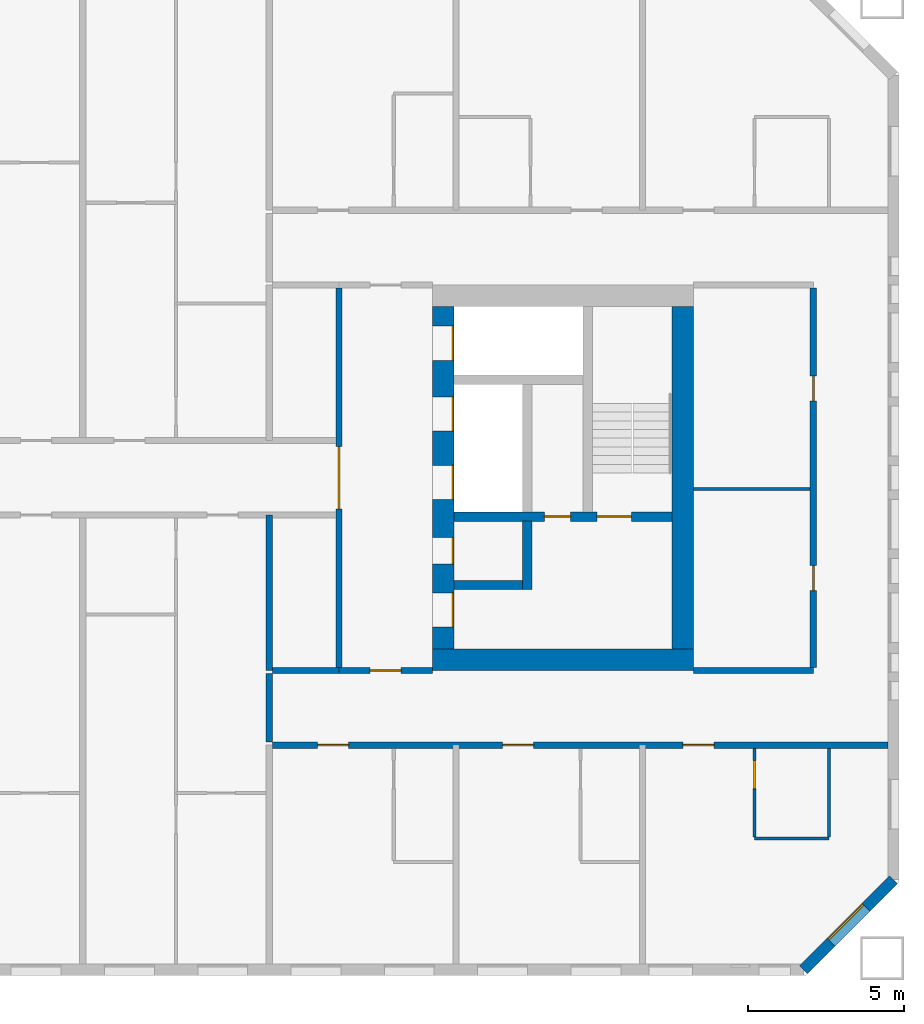
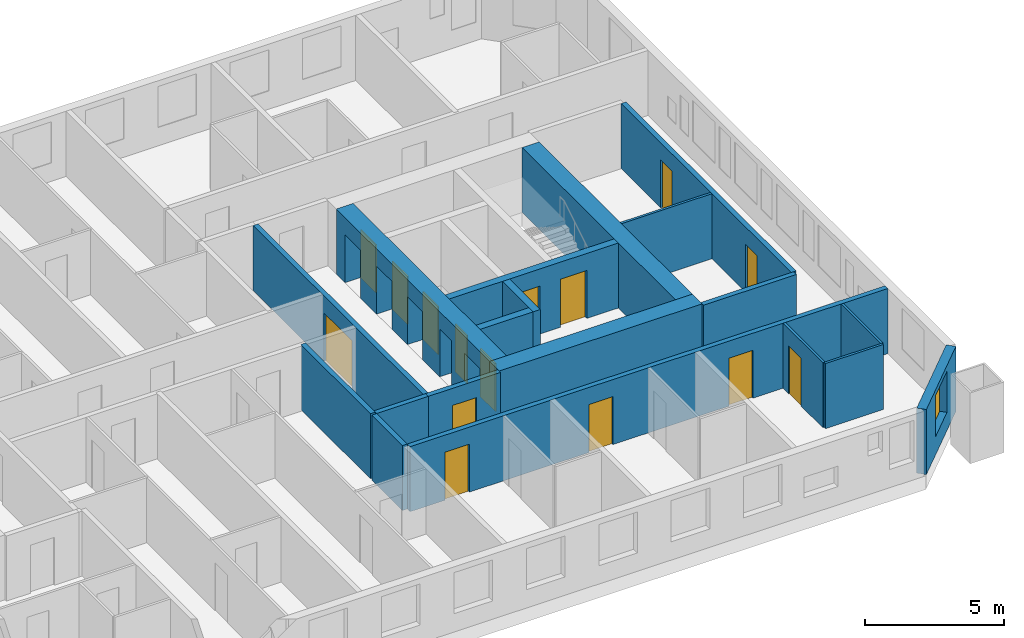
# One storey, part 12 of 17: 19 walls, 15 doors, 1 window, 16 openings.
"""IFC4 building model written with IfcOpenShell, lengths in metres."""

from ifc_helpers import new_model, si_unit, direction, frame, frame_2d, origin, place, context, subcontext, project, spatial, rectangle, extrude, material, layer, layer_set, type_object, element, fill, save


model = new_model("IFC4")

# Units and contexts
model_context = context("Model", 3, precision=1e-05, world=origin(), true_north=direction((0.0, 1.0)))
body_context = subcontext(model_context, "Body", "Model", "MODEL_VIEW")
ifc_project = project(units=[si_unit("LENGTHUNIT", "METRE"), si_unit("AREAUNIT", "SQUARE_METRE"), si_unit("VOLUMEUNIT", "CUBIC_METRE"), si_unit("PLANEANGLEUNIT", "RADIAN"), si_unit("MASSUNIT", "GRAM", prefix="KILO")], contexts=[model_context])

# Site, building, storey
site_placement = place(None, origin())
site = spatial("IfcSite", under=ifc_project, at=site_placement, CompositionType="ELEMENT")
building_placement = place(site_placement, origin())
building = spatial("IfcBuilding", under=site, at=building_placement, Name="Tuart Gate Housing", CompositionType="ELEMENT")
storey_placement = place(building_placement, frame((0.0, 0.0, 71.60009765625)))
storey = spatial("IfcBuildingStorey", under=building, at=storey_placement, Name="L19", CompositionType="ELEMENT", Elevation=71.60009765625)

# Wall, opening, window
ifc_material_1 = material(Name="Brick", Category="masonry")
ifc_layer_1 = layer(ifc_material_1, 0.360107421875)
ifc_layer_set_1 = layer_set([ifc_layer_1], Name="Brick pier and spandrel wall 360")
wall_type_1 = type_object("IfcWallType", Name="Brick pier and spandrel wall 360", PredefinedType="STANDARD", material=ifc_layer_set_1)
wall_1_placement = place(storey_placement, frame((172.17529296875, 54.179931640625, 0.0), z_axis=(0.0, 0.0, 1.0), x_axis=(0.707106781187, 0.707106781187, 0.0)))
wall_1 = element("IfcWall", 1, at=wall_1_placement, inside=storey, type_object=wall_type_1, Name="External wall B-SE L19", PredefinedType="STANDARD", context=body_context, shape_type="SweptSolid", body=[
    extrude(rectangle(XDim=4.09375, YDim=0.360107421875, at=frame_2d((2.046875, 0.0))), origin(), (0.0, 0.0, 1.0), 2.849853515625),
])
opening_1_placement = place(wall_1_placement, frame((1.2470703125, 0.0, 0.800048828125)))
opening_1 = element("IfcOpeningElement", 2, at=opening_1_placement, cuts=wall_1, Name="Opening W1", PredefinedType="OPENING", context=body_context, shape_type="SweptSolid", body=[
    extrude(rectangle(XDim=1.60009765625, YDim=1.800048828125, at=frame_2d((0.800048828125, 0.89990234375))), frame((0.0, 0.18994140625, 0.0), z_axis=(0.0, -1.0, 0.0), x_axis=(1.0, 0.0, 0.0)), (0.0, 0.0, 1.0), 0.380126953125),
])
ifc_material_2 = material(Name="Aluminium frame with clear glass", Category="aluminium")
window_type = type_object("IfcWindowType", Name="Punched window 1600 x 1800", PartitioningType="SINGLE_PANEL", PredefinedType="WINDOW", material=ifc_material_2)
window_placement = place(opening_1_placement, origin())
window = element("IfcWindow", 3, at=window_placement, inside=storey, type_object=window_type, Name="Window W1", OverallHeight=1.800048828125, OverallWidth=1.60009765625, PartitioningType="SINGLE_PANEL", PredefinedType="WINDOW", context=body_context, shape_type="SweptSolid", body=[
    extrude(rectangle(XDim=1.60009765625, YDim=1.800048828125, at=frame_2d((0.800048828125, 0.89990234375))), frame((0.0, 0.150146484375, 0.0), z_axis=(0.0, -1.0, 0.0), x_axis=(1.0, 0.0, 0.0)), (0.0, 0.0, 1.0), 0.06005859375),
])
fill(opening_1, window)

# Wall, openings, doors
ifc_material_3 = material(Name="Concrete C50", Category="concrete")
ifc_layer_2 = layer(ifc_material_3, 0.300048828125)
ifc_layer_set_2 = layer_set([ifc_layer_2], Name="Core wall 300 C50")
wall_type_2 = type_object("IfcWallType", Name="Core wall 300 C50", PredefinedType="SHEAR", material=ifc_layer_set_2)
wall_2_placement = place(storey_placement, frame((160.93994140625, 68.75, 0.0), z_axis=(0.0, 0.0, 1.0), x_axis=(1.0, 0.0, 0.0)))
wall_2 = element("IfcWall", 4, at=wall_2_placement, inside=storey, type_object=wall_type_2, Name="Core wall BK.2", PredefinedType="SHEAR", context=body_context, shape_type="SweptSolid", body=[
    extrude(rectangle(XDim=7.0, YDim=0.300048828125, at=frame_2d((3.5, 0.0))), origin(), (0.0, 0.0, 1.0), 2.849853515625),
])
opening_2_placement = place(wall_2_placement, frame((4.60009765625, 0.0, 0.0)))
opening_2 = element("IfcOpeningElement", 5, at=opening_2_placement, cuts=wall_2, Name="Opening D931", PredefinedType="OPENING", context=body_context, shape_type="SweptSolid", body=[
    extrude(rectangle(XDim=1.10009765625, YDim=2.10009765625, at=frame_2d((0.550048828125, 1.050048828125))), frame((0.0, 0.159912109375, 0.0), z_axis=(0.0, -1.0, 0.0), x_axis=(1.0, 0.0, 0.0)), (0.0, 0.0, 1.0), 0.320068359375),
])
opening_3_placement = place(wall_2_placement, frame((2.89990234375, 0.0, 0.0)))
opening_3 = element("IfcOpeningElement", 6, at=opening_3_placement, cuts=wall_2, Name="Opening D930", PredefinedType="OPENING", context=body_context, shape_type="SweptSolid", body=[
    extrude(rectangle(XDim=0.85009765625, YDim=2.10009765625, at=frame_2d((0.425048828125, 1.050048828125))), frame((0.0, 0.159912109375, 0.0), z_axis=(0.0, -1.0, 0.0), x_axis=(1.0, 0.0, 0.0)), (0.0, 0.0, 1.0), 0.320068359375),
])
ifc_material_4 = material(Name="Steel fire door", Category="steel")
door_type_1 = type_object("IfcDoorType", Name="Riser door 850 x 2100", OperationType="SINGLE_SWING_LEFT", PredefinedType="DOOR", material=ifc_material_4)
door_1_placement = place(opening_3_placement, origin())
door_1 = element("IfcDoor", 7, at=door_1_placement, inside=storey, type_object=door_type_1, Name="Service room door BK.W1", OperationType="SINGLE_SWING_LEFT", OverallHeight=2.10009765625, OverallWidth=0.85009765625, PredefinedType="DOOR", context=body_context, shape_type="SweptSolid", body=[
    extrude(rectangle(XDim=0.85009765625, YDim=2.10009765625, at=frame_2d((0.425048828125, 1.050048828125))), frame((0.0, 0.02490234375, 0.0), z_axis=(0.0, -1.0, 0.0), x_axis=(1.0, 0.0, 0.0)), (0.0, 0.0, 1.0), 0.050048828125),
])
fill(opening_3, door_1)
ifc_material_5 = material(Name="Steel fire door", Category="steel")
door_type_2 = type_object("IfcDoorType", Name="Stair door 1100 x 2100", OperationType="SINGLE_SWING_LEFT", PredefinedType="DOOR", material=ifc_material_5)
door_2_placement = place(opening_2_placement, origin())
door_2 = element("IfcDoor", 8, at=door_2_placement, inside=storey, type_object=door_type_2, Name="Stair door BK.SD", OperationType="SINGLE_SWING_LEFT", OverallHeight=2.10009765625, OverallWidth=1.10009765625, PredefinedType="DOOR", context=body_context, shape_type="SweptSolid", body=[
    extrude(rectangle(XDim=1.10009765625, YDim=2.10009765625, at=frame_2d((0.550048828125, 1.050048828125))), frame((0.0, 0.02490234375, 0.0), z_axis=(0.0, -1.0, 0.0), x_axis=(1.0, 0.0, 0.0)), (0.0, 0.0, 1.0), 0.050048828125),
])
fill(opening_2, door_2)

# Walls
wall_3_placement = place(storey_placement, frame((160.93994140625, 66.550048828125, 0.0), z_axis=(0.0, 0.0, 1.0), x_axis=(1.0, 0.0, 0.0)))
element("IfcWall", 9, at=wall_3_placement, inside=storey, type_object=wall_type_2, Name="Core wall BK.3", PredefinedType="SHEAR", context=body_context, shape_type="SweptSolid", body=[
    extrude(rectangle(XDim=2.199951171875, YDim=0.300048828125, at=frame_2d((1.10009765625, 0.0))), origin(), (0.0, 0.0, 1.0), 2.849853515625),
])
wall_4_placement = place(storey_placement, frame((163.2900390625, 68.60009765625, 0.0), z_axis=(0.0, 0.0, 1.0), x_axis=(0.0, -1.0, 0.0)))
element("IfcWall", 10, at=wall_4_placement, inside=storey, type_object=wall_type_2, Name="Core wall BK.5", PredefinedType="SHEAR", context=body_context, shape_type="SweptSolid", body=[
    extrude(rectangle(XDim=2.2001953125, YDim=0.300048828125, at=frame_2d((1.10009765625, 0.0))), origin(), (0.0, 0.0, 1.0), 2.849853515625),
])

# Wall, openings, doors
ifc_material_6 = material(Name="Concrete C50", Category="concrete")
ifc_layer_3 = layer(ifc_material_6, 0.699951171875)
ifc_layer_set_3 = layer_set([ifc_layer_3], Name="Core wall 700 C50")
wall_type_3 = type_object("IfcWallType", Name="Core wall 700 C50", PredefinedType="SHEAR", material=ifc_layer_set_3)
wall_5_placement = place(storey_placement, frame((160.590087890625, 75.5, 0.0), z_axis=(0.0, 0.0, 1.0), x_axis=(0.0, -1.0, 0.0)))
wall_5 = element("IfcWall", 11, at=wall_5_placement, inside=storey, type_object=wall_type_3, Name="Core wall BK front", PredefinedType="SHEAR", context=body_context, shape_type="SweptSolid", body=[
    extrude(rectangle(XDim=11.0, YDim=0.699951171875, at=frame_2d((5.5, 0.0))), origin(), (0.0, 0.0, 1.0), 2.849853515625),
])
opening_4_placement = place(wall_5_placement, frame((0.625, 0.0, 0.0)))
opening_4 = element("IfcOpeningElement", 12, at=opening_4_placement, cuts=wall_5, Name="Opening LD-FB2", PredefinedType="OPENING", context=body_context, shape_type="SweptSolid", body=[
    extrude(rectangle(XDim=1.10009765625, YDim=2.10009765625, at=frame_2d((0.550048828125, 1.050048828125))), frame((0.0, 0.35986328125, 0.0), z_axis=(0.0, -1.0, 0.0), x_axis=(1.0, 0.0, 0.0)), (0.0, 0.0, 1.0), 0.719970703125),
])
opening_5_placement = place(wall_5_placement, frame((2.89990234375, 0.0, 0.0)))
opening_5 = element("IfcOpeningElement", 13, at=opening_5_placement, cuts=wall_5, Name="Opening LD-LB3", PredefinedType="OPENING", context=body_context, shape_type="SweptSolid", body=[
    extrude(rectangle(XDim=1.10009765625, YDim=2.10009765625, at=frame_2d((0.550048828125, 1.050048828125))), frame((0.0, 0.35986328125, 0.0), z_axis=(0.0, -1.0, 0.0), x_axis=(1.0, 0.0, 0.0)), (0.0, 0.0, 1.0), 0.719970703125),
])
opening_6_placement = place(wall_5_placement, frame((5.10009765625, 0.0, 0.0)))
opening_6 = element("IfcOpeningElement", 14, at=opening_6_placement, cuts=wall_5, Name="Opening LD-LB4", PredefinedType="OPENING", context=body_context, shape_type="SweptSolid", body=[
    extrude(rectangle(XDim=1.10009765625, YDim=2.10009765625, at=frame_2d((0.550048828125, 1.050048828125))), frame((0.0, 0.35986328125, 0.0), z_axis=(0.0, -1.0, 0.0), x_axis=(1.0, 0.0, 0.0)), (0.0, 0.0, 1.0), 0.719970703125),
])
opening_7_placement = place(wall_5_placement, frame((9.199951171875, 0.0, 0.0)))
opening_7 = element("IfcOpeningElement", 15, at=opening_7_placement, cuts=wall_5, Name="Opening D923", PredefinedType="OPENING", context=body_context, shape_type="SweptSolid", body=[
    extrude(rectangle(XDim=1.10009765625, YDim=2.10009765625, at=frame_2d((0.550048828125, 1.050048828125))), frame((0.0, 0.35986328125, 0.0), z_axis=(0.0, -1.0, 0.0), x_axis=(1.0, 0.0, 0.0)), (0.0, 0.0, 1.0), 0.719970703125),
])
opening_8_placement = place(wall_5_placement, frame((7.425048828125, 0.0, 0.0)))
opening_8 = element("IfcOpeningElement", 16, at=opening_8_placement, cuts=wall_5, Name="Opening D924", PredefinedType="OPENING", context=body_context, shape_type="SweptSolid", body=[
    extrude(rectangle(XDim=0.85009765625, YDim=2.10009765625, at=frame_2d((0.425048828125, 1.050048828125))), frame((0.0, 0.35986328125, 0.0), z_axis=(0.0, -1.0, 0.0), x_axis=(1.0, 0.0, 0.0)), (0.0, 0.0, 1.0), 0.719970703125),
])
ifc_material_7 = material(Name="Stainless steel", Category="steel")
door_type_3 = type_object("IfcDoorType", Name="Landing door 1100 x 2100", OperationType="DOUBLE_DOOR_SLIDING", PredefinedType="DOOR", material=ifc_material_7)
door_3_placement = place(opening_4_placement, origin())
door_3 = element("IfcDoor", 17, at=door_3_placement, inside=storey, type_object=door_type_3, Name="Lift landing door FB2", OperationType="DOUBLE_DOOR_SLIDING", OverallHeight=2.10009765625, OverallWidth=1.10009765625, PredefinedType="DOOR", context=body_context, shape_type="SweptSolid", body=[
    extrude(rectangle(XDim=1.10009765625, YDim=2.10009765625, at=frame_2d((0.550048828125, 1.050048828125))), frame((0.0, 0.3349609375, 0.0), z_axis=(0.0, -1.0, 0.0), x_axis=(1.0, 0.0, 0.0)), (0.0, 0.0, 1.0), 0.050048828125),
])
fill(opening_4, door_3)
door_4_placement = place(opening_5_placement, origin())
door_4 = element("IfcDoor", 18, at=door_4_placement, inside=storey, type_object=door_type_3, Name="Lift landing door LB3", OperationType="DOUBLE_DOOR_SLIDING", OverallHeight=2.10009765625, OverallWidth=1.10009765625, PredefinedType="DOOR", context=body_context, shape_type="SweptSolid", body=[
    extrude(rectangle(XDim=1.10009765625, YDim=2.10009765625, at=frame_2d((0.550048828125, 1.050048828125))), frame((0.0, 0.3349609375, 0.0), z_axis=(0.0, -1.0, 0.0), x_axis=(1.0, 0.0, 0.0)), (0.0, 0.0, 1.0), 0.050048828125),
])
fill(opening_5, door_4)
door_5_placement = place(opening_6_placement, origin())
door_5 = element("IfcDoor", 19, at=door_5_placement, inside=storey, type_object=door_type_3, Name="Lift landing door LB4", OperationType="DOUBLE_DOOR_SLIDING", OverallHeight=2.10009765625, OverallWidth=1.10009765625, PredefinedType="DOOR", context=body_context, shape_type="SweptSolid", body=[
    extrude(rectangle(XDim=1.10009765625, YDim=2.10009765625, at=frame_2d((0.550048828125, 1.050048828125))), frame((0.0, 0.3349609375, 0.0), z_axis=(0.0, -1.0, 0.0), x_axis=(1.0, 0.0, 0.0)), (0.0, 0.0, 1.0), 0.050048828125),
])
fill(opening_6, door_5)
ifc_material_8 = material(Name="Steel fire door", Category="steel")
door_type_4 = type_object("IfcDoorType", Name="Lobby door 1100 x 2100", OperationType="SINGLE_SWING_LEFT", PredefinedType="DOOR", material=ifc_material_8)
door_6_placement = place(opening_7_placement, origin())
door_6 = element("IfcDoor", 20, at=door_6_placement, inside=storey, type_object=door_type_4, Name="Lobby entry door BK.EN", OperationType="SINGLE_SWING_LEFT", OverallHeight=2.10009765625, OverallWidth=1.10009765625, PredefinedType="DOOR", context=body_context, shape_type="SweptSolid", body=[
    extrude(rectangle(XDim=1.10009765625, YDim=2.10009765625, at=frame_2d((0.550048828125, 1.050048828125))), frame((0.0, 0.3349609375, 0.0), z_axis=(0.0, -1.0, 0.0), x_axis=(1.0, 0.0, 0.0)), (0.0, 0.0, 1.0), 0.050048828125),
])
fill(opening_7, door_6)
ifc_material_9 = material(Name="Steel fire door", Category="steel")
door_type_5 = type_object("IfcDoorType", Name="Service door 850 x 2100", OperationType="SINGLE_SWING_LEFT", PredefinedType="DOOR", material=ifc_material_9)
door_7_placement = place(opening_8_placement, origin())
door_7 = element("IfcDoor", 21, at=door_7_placement, inside=storey, type_object=door_type_5, Name="Service room door BK.T1", OperationType="SINGLE_SWING_LEFT", OverallHeight=2.10009765625, OverallWidth=0.85009765625, PredefinedType="DOOR", context=body_context, shape_type="SweptSolid", body=[
    extrude(rectangle(XDim=0.85009765625, YDim=2.10009765625, at=frame_2d((0.425048828125, 1.050048828125))), frame((0.0, 0.3349609375, 0.0), z_axis=(0.0, -1.0, 0.0), x_axis=(1.0, 0.0, 0.0)), (0.0, 0.0, 1.0), 0.050048828125),
])
fill(opening_8, door_7)

# Walls
wall_6_placement = place(storey_placement, frame((168.2900390625, 75.5, 0.0), z_axis=(0.0, 0.0, 1.0), x_axis=(0.0, -1.0, 0.0)))
element("IfcWall", 22, at=wall_6_placement, inside=storey, type_object=wall_type_3, Name="Core wall BK back", PredefinedType="SHEAR", context=body_context, shape_type="SweptSolid", body=[
    extrude(rectangle(XDim=11.0, YDim=0.699951171875, at=frame_2d((5.5, 0.0))), origin(), (0.0, 0.0, 1.0), 2.849853515625),
])
wall_7_placement = place(storey_placement, frame((160.239990234375, 64.14990234375, 0.0), z_axis=(0.0, 0.0, 1.0), x_axis=(1.0, 0.0, 0.0)))
element("IfcWall", 23, at=wall_7_placement, inside=storey, type_object=wall_type_3, Name="Core wall BK north", PredefinedType="SHEAR", context=body_context, shape_type="SweptSolid", body=[
    extrude(rectangle(XDim=8.39990234375, YDim=0.699951171875, at=frame_2d((4.199951171875, 0.0))), origin(), (0.0, 0.0, 1.0), 2.849853515625),
])

# Wall, openings, doors
ifc_material_10 = material(Name="Concrete masonry 15 MPa", Category="masonry")
ifc_layer_4 = layer(ifc_material_10, 0.199951171875)
ifc_layer_set_4 = layer_set([ifc_layer_4], Name="Corridor wall masonry 200")
wall_type_4 = type_object("IfcWallType", Name="Corridor wall masonry 200", PredefinedType="PARTITIONING", material=ifc_layer_set_4)
wall_8_placement = place(storey_placement, frame((155.10009765625, 61.39990234375, 0.0), z_axis=(0.0, 0.0, 1.0), x_axis=(1.0, 0.0, 0.0)))
wall_8 = element("IfcWall", 24, at=wall_8_placement, inside=storey, type_object=wall_type_4, Name="Corridor wall masonry 200", PredefinedType="PARTITIONING", context=body_context, shape_type="SweptSolid", body=[
    extrude(rectangle(XDim=19.789794921875, YDim=0.199951171875, at=frame_2d((9.89501953125, 0.0))), origin(), (0.0, 0.0, 1.0), 2.849853515625),
])
opening_9_placement = place(wall_8_placement, frame((1.449951171875, 0.0, 0.0)))
opening_9 = element("IfcOpeningElement", 25, at=opening_9_placement, cuts=wall_8, Name="Opening D938", PredefinedType="OPENING", context=body_context, shape_type="SweptSolid", body=[
    extrude(rectangle(XDim=1.0, YDim=2.10009765625, at=frame_2d((0.5, 1.050048828125))), frame((0.0, 0.10986328125, 0.0), z_axis=(0.0, -1.0, 0.0), x_axis=(1.0, 0.0, 0.0)), (0.0, 0.0, 1.0), 0.219970703125),
])
opening_10_placement = place(wall_8_placement, frame((7.39990234375, 0.0, 0.0)))
opening_10 = element("IfcOpeningElement", 26, at=opening_10_placement, cuts=wall_8, Name="Opening D939", PredefinedType="OPENING", context=body_context, shape_type="SweptSolid", body=[
    extrude(rectangle(XDim=1.0, YDim=2.10009765625, at=frame_2d((0.5, 1.050048828125))), frame((0.0, 0.10986328125, 0.0), z_axis=(0.0, -1.0, 0.0), x_axis=(1.0, 0.0, 0.0)), (0.0, 0.0, 1.0), 0.219970703125),
])
opening_11_placement = place(wall_8_placement, frame((13.199951171875, 0.0, 0.0)))
opening_11 = element("IfcOpeningElement", 27, at=opening_11_placement, cuts=wall_8, Name="Opening D940", PredefinedType="OPENING", context=body_context, shape_type="SweptSolid", body=[
    extrude(rectangle(XDim=1.0, YDim=2.10009765625, at=frame_2d((0.5, 1.050048828125))), frame((0.0, 0.10986328125, 0.0), z_axis=(0.0, -1.0, 0.0), x_axis=(1.0, 0.0, 0.0)), (0.0, 0.0, 1.0), 0.219970703125),
])
ifc_material_11 = material(Name="Timber door leaf in steel frame", Category="steel")
door_type_6 = type_object("IfcDoorType", Name="Flat entrance door 1000", OperationType="SINGLE_SWING_LEFT", PredefinedType="DOOR", material=ifc_material_11)
door_8_placement = place(opening_9_placement, frame((1.0, 0.0, 0.0), z_axis=(0.0, 0.0, 1.0), x_axis=(-1.0, 0.0, 0.0)))
door_8 = element("IfcDoor", 28, at=door_8_placement, inside=storey, type_object=door_type_6, Name="Flat entrance door", OperationType="SINGLE_SWING_LEFT", OverallHeight=2.10009765625, OverallWidth=1.0, PredefinedType="DOOR", context=body_context, shape_type="SweptSolid", body=[
    extrude(rectangle(XDim=1.0, YDim=2.10009765625, at=frame_2d((0.5, 1.050048828125))), frame((0.0, 0.025146484375, 0.0), z_axis=(0.0, -1.0, 0.0), x_axis=(1.0, 0.0, 0.0)), (0.0, 0.0, 1.0), 0.050048828125),
])
fill(opening_9, door_8)
ifc_material_12 = material(Name="Timber door leaf in steel frame", Category="steel")
door_type_7 = type_object("IfcDoorType", Name="Flat entrance door 1000 RH", OperationType="SINGLE_SWING_RIGHT", PredefinedType="DOOR", material=ifc_material_12)
door_9_placement = place(opening_10_placement, frame((1.0, 0.0, 0.0), z_axis=(0.0, 0.0, 1.0), x_axis=(-1.0, 0.0, 0.0)))
door_9 = element("IfcDoor", 29, at=door_9_placement, inside=storey, type_object=door_type_7, Name="Flat entrance door", OperationType="SINGLE_SWING_RIGHT", OverallHeight=2.10009765625, OverallWidth=1.0, PredefinedType="DOOR", context=body_context, shape_type="SweptSolid", body=[
    extrude(rectangle(XDim=1.0, YDim=2.10009765625, at=frame_2d((0.5, 1.050048828125))), frame((0.0, 0.025146484375, 0.0), z_axis=(0.0, -1.0, 0.0), x_axis=(1.0, 0.0, 0.0)), (0.0, 0.0, 1.0), 0.050048828125),
])
fill(opening_10, door_9)
door_10_placement = place(opening_11_placement, frame((1.0, 0.0, 0.0), z_axis=(0.0, 0.0, 1.0), x_axis=(-1.0, 0.0, 0.0)))
door_10 = element("IfcDoor", 30, at=door_10_placement, inside=storey, type_object=door_type_7, Name="Flat entrance door", OperationType="SINGLE_SWING_RIGHT", OverallHeight=2.10009765625, OverallWidth=1.0, PredefinedType="DOOR", context=body_context, shape_type="SweptSolid", body=[
    extrude(rectangle(XDim=1.0, YDim=2.10009765625, at=frame_2d((0.5, 1.050048828125))), frame((0.0, 0.025146484375, 0.0), z_axis=(0.0, -1.0, 0.0), x_axis=(1.0, 0.0, 0.0)), (0.0, 0.0, 1.0), 0.050048828125),
])
fill(opening_11, door_10)

# Walls
wall_9_placement = place(storey_placement, frame((155.10009765625, 63.800048828125, 0.0), z_axis=(0.0, 0.0, 1.0), x_axis=(1.0, 0.0, 0.0)))
element("IfcWall", 31, at=wall_9_placement, inside=storey, type_object=wall_type_4, Name="Corridor wall masonry 200", PredefinedType="PARTITIONING", context=body_context, shape_type="SweptSolid", body=[
    extrude(rectangle(XDim=2.139892578125, YDim=0.199951171875, at=frame_2d((1.06982421875, 0.0))), origin(), (0.0, 0.0, 1.0), 2.849853515625),
])
wall_10_placement = place(storey_placement, frame((168.639892578125, 63.800048828125, 0.0), z_axis=(0.0, 0.0, 1.0), x_axis=(1.0, 0.0, 0.0)))
element("IfcWall", 32, at=wall_10_placement, inside=storey, type_object=wall_type_4, Name="Corridor wall masonry 200", PredefinedType="PARTITIONING", context=body_context, shape_type="SweptSolid", body=[
    extrude(rectangle(XDim=3.85009765625, YDim=0.199951171875, at=frame_2d((1.925048828125, 0.0))), origin(), (0.0, 0.0, 1.0), 2.849853515625),
])
wall_11_placement = place(storey_placement, frame((155.0, 61.5, 0.0), z_axis=(0.0, 0.0, 1.0), x_axis=(0.0, 1.0, 0.0)))
element("IfcWall", 33, at=wall_11_placement, inside=storey, type_object=wall_type_4, Name="Corridor wall masonry 200", PredefinedType="PARTITIONING", context=body_context, shape_type="SweptSolid", body=[
    extrude(rectangle(XDim=2.199951171875, YDim=0.199951171875, at=frame_2d((1.10009765625, 0.0))), origin(), (0.0, 0.0, 1.0), 2.849853515625),
])

# Wall, openings, doors
wall_12_placement = place(storey_placement, frame((172.489990234375, 63.89990234375, 0.0), z_axis=(0.0, 0.0, 1.0), x_axis=(0.0, 1.0, 0.0)))
wall_12 = element("IfcWall", 34, at=wall_12_placement, inside=storey, type_object=wall_type_4, Name="Corridor wall masonry 200", PredefinedType="PARTITIONING", context=body_context, shape_type="SweptSolid", body=[
    extrude(rectangle(XDim=12.2001953125, YDim=0.199951171875, at=frame_2d((6.10009765625, 0.0))), origin(), (0.0, 0.0, 1.0), 2.849853515625),
])
opening_12_placement = place(wall_12_placement, frame((2.469970703125, 0.0, 0.0)))
opening_12 = element("IfcOpeningElement", 35, at=opening_12_placement, cuts=wall_12, Name="Opening D925", PredefinedType="OPENING", context=body_context, shape_type="SweptSolid", body=[
    extrude(rectangle(XDim=0.800048828125, YDim=2.10009765625, at=frame_2d((0.39990234375, 1.050048828125))), frame((0.0, 0.10986328125, 0.0), z_axis=(0.0, -1.0, 0.0), x_axis=(1.0, 0.0, 0.0)), (0.0, 0.0, 1.0), 0.219970703125),
])
opening_13_placement = place(wall_12_placement, frame((8.570068359375, 0.0, 0.0)))
opening_13 = element("IfcOpeningElement", 36, at=opening_13_placement, cuts=wall_12, Name="Opening D926", PredefinedType="OPENING", context=body_context, shape_type="SweptSolid", body=[
    extrude(rectangle(XDim=0.800048828125, YDim=2.10009765625, at=frame_2d((0.39990234375, 1.050048828125))), frame((0.0, 0.10986328125, 0.0), z_axis=(0.0, -1.0, 0.0), x_axis=(1.0, 0.0, 0.0)), (0.0, 0.0, 1.0), 0.219970703125),
])
ifc_material_13 = material(Name="Timber door leaf in steel frame", Category="steel")
door_type_8 = type_object("IfcDoorType", Name="Store door 800", OperationType="SINGLE_SWING_LEFT", PredefinedType="DOOR", material=ifc_material_13)
door_11_placement = place(opening_13_placement, origin())
door_11 = element("IfcDoor", 37, at=door_11_placement, inside=storey, type_object=door_type_8, Name="Store door", OperationType="SINGLE_SWING_LEFT", OverallHeight=2.10009765625, OverallWidth=0.800048828125, PredefinedType="DOOR", context=body_context, shape_type="SweptSolid", body=[
    extrude(rectangle(XDim=0.800048828125, YDim=2.10009765625, at=frame_2d((0.39990234375, 1.050048828125))), frame((0.0, 0.02490234375, 0.0), z_axis=(0.0, -1.0, 0.0), x_axis=(1.0, 0.0, 0.0)), (0.0, 0.0, 1.0), 0.050048828125),
])
fill(opening_13, door_11)
ifc_material_14 = material(Name="Timber door leaf in steel frame", Category="steel")
door_type_9 = type_object("IfcDoorType", Name="Store door 800 RH", OperationType="SINGLE_SWING_RIGHT", PredefinedType="DOOR", material=ifc_material_14)
door_12_placement = place(opening_12_placement, origin())
door_12 = element("IfcDoor", 38, at=door_12_placement, inside=storey, type_object=door_type_9, Name="Store door", OperationType="SINGLE_SWING_RIGHT", OverallHeight=2.10009765625, OverallWidth=0.800048828125, PredefinedType="DOOR", context=body_context, shape_type="SweptSolid", body=[
    extrude(rectangle(XDim=0.800048828125, YDim=2.10009765625, at=frame_2d((0.39990234375, 1.050048828125))), frame((0.0, 0.02490234375, 0.0), z_axis=(0.0, -1.0, 0.0), x_axis=(1.0, 0.0, 0.0)), (0.0, 0.0, 1.0), 0.050048828125),
])
fill(opening_12, door_12)

# Wall, opening, door
ifc_material_15 = material(Name="Concrete masonry 15 MPa", Category="masonry")
ifc_layer_5 = layer(ifc_material_15, 0.199951171875)
ifc_layer_set_5 = layer_set([ifc_layer_5], Name="Enclosure wall masonry 200")
wall_type_5 = type_object("IfcWallType", Name="Enclosure wall masonry 200", PredefinedType="PARTITIONING", material=ifc_layer_set_5)
wall_13_placement = place(storey_placement, frame((157.239990234375, 63.800048828125, 0.0), z_axis=(0.0, 0.0, 1.0), x_axis=(1.0, 0.0, 0.0)))
wall_13 = element("IfcWall", 39, at=wall_13_placement, inside=storey, type_object=wall_type_5, Name="Enclosure wall masonry 200", PredefinedType="PARTITIONING", context=body_context, shape_type="SweptSolid", body=[
    extrude(rectangle(XDim=3.0, YDim=0.199951171875, at=frame_2d((1.5, 0.0))), origin(), (0.0, 0.0, 1.0), 2.849853515625),
])
opening_14_placement = place(wall_13_placement, frame((1.0, 0.0, 0.0)))
opening_14 = element("IfcOpeningElement", 40, at=opening_14_placement, cuts=wall_13, Name="Opening D933", PredefinedType="OPENING", context=body_context, shape_type="SweptSolid", body=[
    extrude(rectangle(XDim=1.0, YDim=2.10009765625, at=frame_2d((0.5, 1.050048828125))), frame((0.0, 0.10986328125, 0.0), z_axis=(0.0, -1.0, 0.0), x_axis=(1.0, 0.0, 0.0)), (0.0, 0.0, 1.0), 0.219970703125),
])
ifc_material_16 = material(Name="Timber door leaf in steel frame", Category="steel")
door_type_10 = type_object("IfcDoorType", Name="Fire door 1000 RH", OperationType="SINGLE_SWING_RIGHT", PredefinedType="DOOR", material=ifc_material_16)
door_13_placement = place(opening_14_placement, frame((1.0, 0.0, 0.0), z_axis=(0.0, 0.0, 1.0), x_axis=(-1.0, 0.0, 0.0)))
door_13 = element("IfcDoor", 41, at=door_13_placement, inside=storey, type_object=door_type_10, Name="Fire door", OperationType="SINGLE_SWING_RIGHT", OverallHeight=2.10009765625, OverallWidth=1.0, PredefinedType="DOOR", context=body_context, shape_type="SweptSolid", body=[
    extrude(rectangle(XDim=1.0, YDim=2.10009765625, at=frame_2d((0.5, 1.050048828125))), frame((0.0, 0.025146484375, 0.0), z_axis=(0.0, -1.0, 0.0), x_axis=(1.0, 0.0, 0.0)), (0.0, 0.0, 1.0), 0.050048828125),
])
fill(opening_14, door_13)

ifc_material_17 = material(Name="Plasterboard partition")
ifc_layer_6 = layer(ifc_material_17, 0.199951171875)
ifc_layer_set_6 = layer_set([ifc_layer_6], Name="Lobby wall 200")
wall_type_6 = type_object("IfcWallType", Name="Lobby wall 200", PredefinedType="PARTITIONING", material=ifc_layer_set_6)
wall_14_placement = place(storey_placement, frame((157.239990234375, 63.89990234375, 0.0), z_axis=(0.0, 0.0, 1.0), x_axis=(0.0, 1.0, 0.0)))
wall_14 = element("IfcWall", 42, at=wall_14_placement, inside=storey, type_object=wall_type_6, Name="Lift lobby wall BK", PredefinedType="PARTITIONING", context=body_context, shape_type="SweptSolid", body=[
    extrude(rectangle(XDim=12.2001953125, YDim=0.199951171875, at=frame_2d((6.10009765625, 0.0))), origin(), (0.0, 0.0, 1.0), 2.849853515625),
])
opening_15_placement = place(wall_14_placement, frame((5.10009765625, 0.0, 0.0)))
opening_15 = element("IfcOpeningElement", 43, at=opening_15_placement, cuts=wall_14, Name="Opening D922", PredefinedType="OPENING", context=body_context, shape_type="SweptSolid", body=[
    extrude(rectangle(XDim=2.0, YDim=2.10009765625, at=frame_2d((1.0, 1.050048828125))), frame((0.0, 0.10986328125, 0.0), z_axis=(0.0, -1.0, 0.0), x_axis=(1.0, 0.0, 0.0)), (0.0, 0.0, 1.0), 0.219970703125),
])
ifc_material_18 = material(Name="Steel fire door", Category="steel")
door_type_11 = type_object("IfcDoorType", Name="Smoke door 2000 x 2100", OperationType="DOUBLE_DOOR_SINGLE_SWING", PredefinedType="DOOR", material=ifc_material_18)
door_14_placement = place(opening_15_placement, frame((2.0, 0.0, 0.0), z_axis=(0.0, 0.0, 1.0), x_axis=(-1.0, 0.0, 0.0)))
door_14 = element("IfcDoor", 44, at=door_14_placement, inside=storey, type_object=door_type_11, Name="Lift lobby smoke door BK", OperationType="DOUBLE_DOOR_SINGLE_SWING", OverallHeight=2.10009765625, OverallWidth=2.0, PredefinedType="DOOR", context=body_context, shape_type="SweptSolid", body=[
    extrude(rectangle(XDim=2.0, YDim=2.10009765625, at=frame_2d((1.0, 1.050048828125))), frame((0.0, 0.025146484375, 0.0), z_axis=(0.0, -1.0, 0.0), x_axis=(1.0, 0.0, 0.0)), (0.0, 0.0, 1.0), 0.050048828125),
])
fill(opening_15, door_14)

# Walls
ifc_material_19 = material(Name="Gypsum board on steel studs", Category="steel")
ifc_layer_7 = layer(ifc_material_19, 0.10009765625)
ifc_layer_set_7 = layer_set([ifc_layer_7], Name="Partition 100")
wall_type_7 = type_object("IfcWallType", Name="Partition 100", PredefinedType="PARTITIONING", material=ifc_layer_set_7)
wall_15_placement = place(storey_placement, frame((170.60009765625, 58.39990234375, 0.0), z_axis=(0.0, 0.0, 1.0), x_axis=(1.0, 0.0, 0.0)))
element("IfcWall", 45, at=wall_15_placement, inside=storey, type_object=wall_type_7, Name="Partition 100", PredefinedType="PARTITIONING", context=body_context, shape_type="SweptSolid", body=[
    extrude(rectangle(XDim=2.39990234375, YDim=0.10009765625, at=frame_2d((1.199951171875, 0.0))), origin(), (0.0, 0.0, 1.0), 2.849853515625),
])
wall_16_placement = place(storey_placement, frame((168.639892578125, 69.639892578125, 0.0), z_axis=(0.0, 0.0, 1.0), x_axis=(1.0, 0.0, 0.0)))
element("IfcWall", 46, at=wall_16_placement, inside=storey, type_object=wall_type_7, Name="Partition 100", PredefinedType="PARTITIONING", context=body_context, shape_type="SweptSolid", body=[
    extrude(rectangle(XDim=3.75, YDim=0.10009765625, at=frame_2d((1.875, 0.0))), origin(), (0.0, 0.0, 1.0), 2.849853515625),
])

# Wall, opening, door
wall_17_placement = place(storey_placement, frame((170.60009765625, 58.449951171875, 0.0), z_axis=(0.0, 0.0, 1.0), x_axis=(0.0, 1.0, 0.0)))
wall_17 = element("IfcWall", 47, at=wall_17_placement, inside=storey, type_object=wall_type_7, Name="Partition 100", PredefinedType="PARTITIONING", context=body_context, shape_type="SweptSolid", body=[
    extrude(rectangle(XDim=2.85009765625, YDim=0.10009765625, at=frame_2d((1.425048828125, 0.0))), origin(), (0.0, 0.0, 1.0), 2.849853515625),
])
opening_16_placement = place(wall_17_placement, frame((1.550048828125, 0.0, 0.0)))
opening_16 = element("IfcOpeningElement", 48, at=opening_16_placement, cuts=wall_17, Name="Opening D943", PredefinedType="OPENING", context=body_context, shape_type="SweptSolid", body=[
    extrude(rectangle(XDim=0.89990234375, YDim=2.10009765625, at=frame_2d((0.449951171875, 1.050048828125))), frame((0.0, 0.06005859375, 0.0), z_axis=(0.0, -1.0, 0.0), x_axis=(1.0, 0.0, 0.0)), (0.0, 0.0, 1.0), 0.1201171875),
])
ifc_material_20 = material(Name="Timber door leaf in steel frame", Category="steel")
door_type_12 = type_object("IfcDoorType", Name="Bathroom door 900", OperationType="SINGLE_SWING_LEFT", PredefinedType="DOOR", material=ifc_material_20)
door_15_placement = place(opening_16_placement, frame((0.89990234375, 0.0, 0.0), z_axis=(0.0, 0.0, 1.0), x_axis=(-1.0, 0.0, 0.0)))
door_15 = element("IfcDoor", 49, at=door_15_placement, inside=storey, type_object=door_type_12, Name="Bathroom door", OperationType="SINGLE_SWING_LEFT", OverallHeight=2.10009765625, OverallWidth=0.89990234375, PredefinedType="DOOR", context=body_context, shape_type="SweptSolid", body=[
    extrude(rectangle(XDim=0.89990234375, YDim=2.10009765625, at=frame_2d((0.449951171875, 1.050048828125))), frame((0.0, 0.025146484375, 0.0), z_axis=(0.0, -1.0, 0.0), x_axis=(1.0, 0.0, 0.0)), (0.0, 0.0, 1.0), 0.050048828125),
])
fill(opening_16, door_15)

# Walls
wall_18_placement = place(storey_placement, frame((173.0, 58.449951171875, 0.0), z_axis=(0.0, 0.0, 1.0), x_axis=(0.0, 1.0, 0.0)))
element("IfcWall", 50, at=wall_18_placement, inside=storey, type_object=wall_type_7, Name="Partition 100", PredefinedType="PARTITIONING", context=body_context, shape_type="SweptSolid", body=[
    extrude(rectangle(XDim=2.85009765625, YDim=0.10009765625, at=frame_2d((1.425048828125, 0.0))), origin(), (0.0, 0.0, 1.0), 2.849853515625),
])
ifc_material_21 = material(Name="Concrete C40", Category="concrete")
ifc_layer_8 = layer(ifc_material_21, 0.199951171875)
ifc_layer_set_8 = layer_set([ifc_layer_8], Name="Party wall concrete C40 200")
wall_type_8 = type_object("IfcWallType", Name="Party wall concrete C40 200", PredefinedType="SOLIDWALL", material=ifc_layer_set_8)
wall_19_placement = place(storey_placement, frame((155.0, 63.800048828125, 0.0), z_axis=(0.0, 0.0, 1.0), x_axis=(0.0, 1.0, 0.0)))
element("IfcWall", 51, at=wall_19_placement, inside=storey, type_object=wall_type_8, Name="Party wall concrete C40 200", PredefinedType="SOLIDWALL", context=body_context, shape_type="SweptSolid", body=[
    extrude(rectangle(XDim=5.0, YDim=0.199951171875, at=frame_2d((2.5, 0.0))), origin(), (0.0, 0.0, 1.0), 2.849853515625),
])

save(model, "model.ifc")
